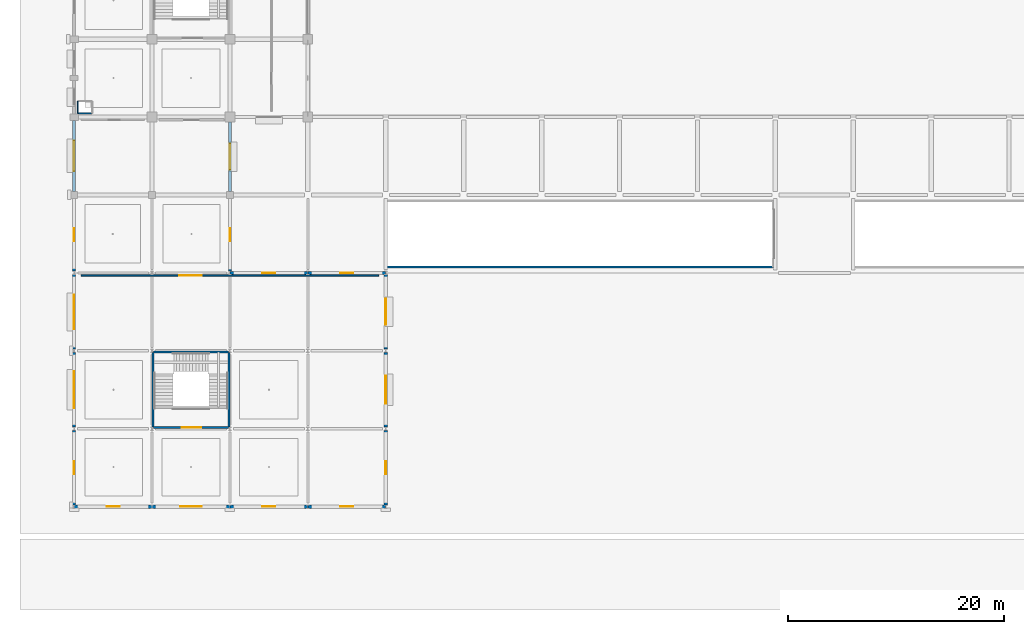
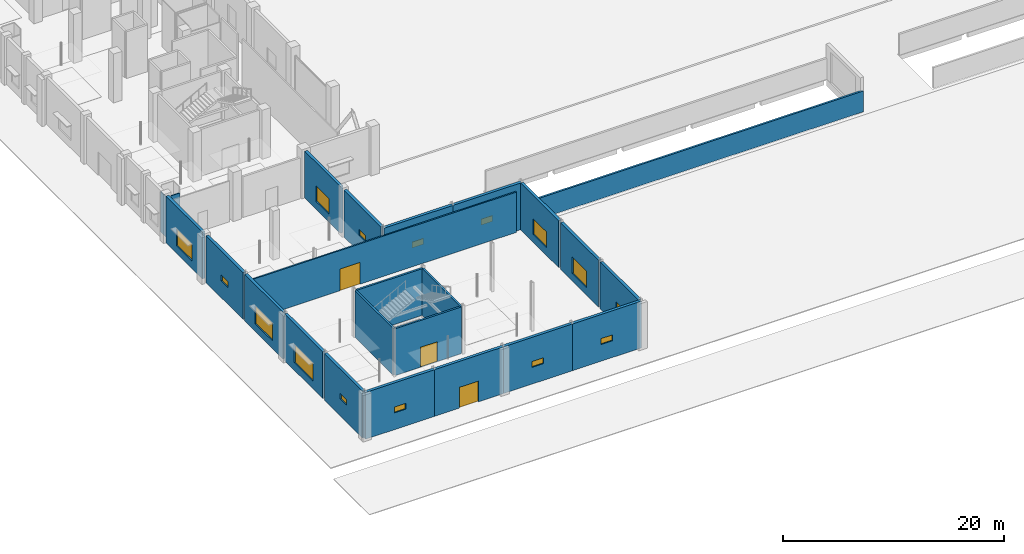
# One storey, part 57 of 90: 24 walls, 15 windows, 3 doors, 18 openings.
"""IFC4 building model written with IfcOpenShell, lengths in metres."""

from ifc_helpers import new_model, si_unit, direction, frame, frame_2d, origin, place, context, subcontext, project, spatial, rectangle, extrude, material, layer, layer_set, type_object, element, fill, save


model = new_model("IFC4")

# Units and contexts
model_context = context("Model", 3, precision=1e-05, world=origin(), true_north=direction((0.0, 1.0)))
body_context = subcontext(model_context, "Body", "Model", "MODEL_VIEW")
ifc_project = project(units=[si_unit("LENGTHUNIT", "METRE"), si_unit("AREAUNIT", "SQUARE_METRE"), si_unit("VOLUMEUNIT", "CUBIC_METRE"), si_unit("PLANEANGLEUNIT", "RADIAN"), si_unit("MASSUNIT", "GRAM", prefix="KILO")], contexts=[model_context])

# Site, building, storey
site_placement = place(None, origin())
site = spatial("IfcSite", under=ifc_project, at=site_placement, CompositionType="ELEMENT")
building_placement = place(site_placement, origin())
building = spatial("IfcBuilding", under=site, at=building_placement, Name="Kangsadwip Square Police Headquarters", CompositionType="ELEMENT")
storey_placement = place(building_placement, origin())
storey = spatial("IfcBuildingStorey", under=building, at=storey_placement, Name="L00", CompositionType="ELEMENT", Elevation=0.0)

# Wall, opening, door
ifc_material_1 = material(Name="Autoclaved aerated concrete blockwork masonry", Category="masonry")
ifc_layer_1 = layer(ifc_material_1, 0.14990234375)
ifc_layer_set_1 = layer_set([ifc_layer_1], Name="Autoclaved aerated concrete blockwork masonry")
wall_type_1 = type_object("IfcWallType", Name="BlockPartition150", PredefinedType="PARTITIONING", material=ifc_layer_set_1)
wall_1_placement = place(storey_placement, frame((0.64990234375, 21.35009765625, 0.0), z_axis=(0.0, 0.0, 1.0), x_axis=(1.0, 0.0, 0.0)))
wall_1 = element("IfcWall", 1, at=wall_1_placement, inside=storey, type_object=wall_type_1, Name="Interior Wall WI-L00-0699", PredefinedType="PARTITIONING", context=body_context, shape_type="SweptSolid", body=[
    extrude(rectangle(XDim=27.5, YDim=0.14990234375, at=frame_2d((13.75, 0.0))), origin(), (0.0, 0.0, 1.0), 4.449951171875),
])
opening_1_placement = place(wall_1_placement, frame((9.052978515625, 0.0, 0.0)))
opening_1 = element("IfcOpeningElement", 2, at=opening_1_placement, cuts=wall_1, Name="Opening ID-21", PredefinedType="OPENING", context=body_context, shape_type="SweptSolid", body=[
    extrude(rectangle(XDim=2.10009765625, YDim=2.39990234375, at=frame_2d((1.050048828125, 1.199951171875))), frame((0.0, 0.0849609375, 0.0), z_axis=(0.0, -1.0, 0.0), x_axis=(1.0, 0.0, 0.0)), (0.0, 0.0, 1.0), 0.169921875),
])
ifc_material_2 = material(Name="Solid-core seasoned teak hardwood architectural door", Category="wood")
door_type_1 = type_object("IfcDoorType", Name="HallDoubleDoor2100x2400", OperationType="DOUBLE_DOOR_SINGLE_SWING", PredefinedType="DOOR", material=ifc_material_2)
door_1_placement = place(opening_1_placement, origin())
door_1 = element("IfcDoor", 3, at=door_1_placement, inside=storey, type_object=door_type_1, Name="Interior Door ID-L00-0147", OperationType="DOUBLE_DOOR_SINGLE_SWING", OverallHeight=2.39990234375, OverallWidth=2.10009765625, PredefinedType="DOOR", context=body_context, shape_type="SweptSolid", body=[
    extrude(rectangle(XDim=2.10009765625, YDim=2.39990234375, at=frame_2d((1.050048828125, 1.199951171875))), frame((0.0, 0.02490234375, 0.0), z_axis=(0.0, -1.0, 0.0), x_axis=(1.0, 0.0, 0.0)), (0.0, 0.0, 1.0), 0.050048828125),
])
fill(opening_1, door_1)

# Wall
ifc_material_3 = material(Name="Concrete M40 (40 MPa)", Category="concrete")
ifc_layer_2 = layer(ifc_material_3, 0.199951171875)
ifc_layer_set_2 = layer_set([ifc_layer_2], Name="Concrete M40 (40 MPa)")
wall_type_2 = type_object("IfcWallType", Name="CoreShearWall200", PredefinedType="SHEAR", material=ifc_layer_set_2)
wall_2_placement = place(storey_placement, frame((28.89990234375, 22.14990234375, 0.0), z_axis=(0.0, 0.0, 1.0), x_axis=(1.0, 0.0, 0.0)))
element("IfcWall", 4, at=wall_2_placement, inside=storey, type_object=wall_type_2, Name="Interior Wall WI-L00-0002", PredefinedType="SHEAR", context=body_context, shape_type="SweptSolid", body=[
    extrude(rectangle(XDim=35.900146484375, YDim=0.199951171875, at=frame_2d((17.9501953125, 0.0))), origin(), (0.0, 0.0, 1.0), 2.300048828125),
])

# Wall, opening, door
wall_3_placement = place(storey_placement, frame((7.320068359375, 7.300048828125, 0.0), z_axis=(0.0, 0.0, 1.0), x_axis=(1.0, 0.0, 0.0)))
wall_3 = element("IfcWall", 5, at=wall_3_placement, inside=storey, type_object=wall_type_2, Name="Interior Wall WI-L00-0221", PredefinedType="SHEAR", context=body_context, shape_type="SweptSolid", body=[
    extrude(rectangle(XDim=6.9599609375, YDim=0.199951171875, at=frame_2d((3.47998046875, 0.0))), origin(), (0.0, 0.0, 1.0), 5.159912109375),
])
opening_2_placement = place(wall_3_placement, frame((2.632080078125, 0.0, 0.0)))
opening_2 = element("IfcOpeningElement", 6, at=opening_2_placement, cuts=wall_3, Name="Opening FD-18", PredefinedType="OPENING", context=body_context, shape_type="SweptSolid", body=[
    extrude(rectangle(XDim=1.800048828125, YDim=2.199951171875, at=frame_2d((0.89990234375, 1.10009765625))), frame((0.0, 0.10986328125, 0.0), z_axis=(0.0, -1.0, 0.0), x_axis=(1.0, 0.0, 0.0)), (0.0, 0.0, 1.0), 0.219970703125),
])
ifc_material_4 = material(Name="Insulated galvanized steel fire-rated door assembly", Category="steel")
door_type_2 = type_object("IfcDoorType", Name="StairFireDoor1800x2200", OperationType="DOUBLE_DOOR_SINGLE_SWING", PredefinedType="DOOR", material=ifc_material_4)
door_2_placement = place(opening_2_placement, origin())
door_2 = element("IfcDoor", 7, at=door_2_placement, inside=storey, type_object=door_type_2, Name="Interior Door ID-L00-0051", OperationType="DOUBLE_DOOR_SINGLE_SWING", OverallHeight=2.199951171875, OverallWidth=1.800048828125, PredefinedType="DOOR", context=body_context, shape_type="SweptSolid", body=[
    extrude(rectangle(XDim=1.800048828125, YDim=2.199951171875, at=frame_2d((0.89990234375, 1.10009765625))), frame((0.0, 0.02490234375, 0.0), z_axis=(0.0, -1.0, 0.0), x_axis=(1.0, 0.0, 0.0)), (0.0, 0.0, 1.0), 0.050048828125),
])
fill(opening_2, door_2)

# Walls
wall_4_placement = place(storey_placement, frame((7.320068359375, 14.300048828125, 0.0), z_axis=(0.0, 0.0, 1.0), x_axis=(1.0, 0.0, 0.0)))
element("IfcWall", 8, at=wall_4_placement, inside=storey, type_object=wall_type_2, Name="Interior Wall WI-L00-0222", PredefinedType="SHEAR", context=body_context, shape_type="SweptSolid", body=[
    extrude(rectangle(XDim=6.9599609375, YDim=0.199951171875, at=frame_2d((3.47998046875, 0.0))), origin(), (0.0, 0.0, 1.0), 5.159912109375),
])
for number, where, z_axis, x_axis, name in (
    (9, (7.300048828125, 7.344970703125, 0.0), (0.0, 0.0, 1.0), (0.0, 1.0, 0.0), "Interior Wall WI-L00-0223"),
    (10, (14.300048828125, 7.344970703125, 0.0), (0.0, 0.0, 1.0), (0.0, 1.0, 0.0), "Interior Wall WI-L00-0224"),
):
    element("IfcWall", number, at=place(storey_placement, frame(where, z_axis=z_axis, x_axis=x_axis)), inside=storey, type_object=wall_type_2, Name=name, PredefinedType="SHEAR", context=body_context, shape_type="SweptSolid", body=[
        extrude(rectangle(XDim=6.909912109375, YDim=0.199951171875, at=frame_2d((3.455078125, 0.0))), origin(), (0.0, 0.0, 1.0), 5.159912109375),
    ])

# Wall, opening, window
ifc_material_5 = material(Name="Glazed architectural terracotta masonry rainscreen", Category="masonry")
ifc_layer_3 = layer(ifc_material_5, 0.300048828125)
ifc_layer_set_3 = layer_set([ifc_layer_3], Name="Glazed architectural terracotta masonry rainscreen")
wall_type_3 = type_object("IfcWallType", Name="PlinthArcadeWall300", PredefinedType="SOLIDWALL", material=ifc_layer_set_3)
wall_5_placement = place(storey_placement, frame((0.010009765625, 0.0, 0.0), z_axis=(0.0, 0.0, 1.0), x_axis=(1.0, 0.0, 0.0)))
wall_5 = element("IfcWall", 11, at=wall_5_placement, inside=storey, type_object=wall_type_3, Name="Exterior Wall WE-L00-129", PredefinedType="SOLIDWALL", context=body_context, shape_type="SweptSolid", body=[
    extrude(rectangle(XDim=7.179931640625, YDim=0.300048828125, at=frame_2d((3.58984375, 0.0))), origin(), (0.0, 0.0, 1.0), 5.159912109375),
])
opening_3_placement = place(wall_5_placement, frame((2.989990234375, 0.0, 1.85009765625)))
opening_3 = element("IfcOpeningElement", 12, at=opening_3_placement, cuts=wall_5, Name="Opening WN-18", PredefinedType="OPENING", context=body_context, shape_type="SweptSolid", body=[
    extrude(rectangle(XDim=1.199951171875, YDim=0.64990234375, at=frame_2d((0.60009765625, 0.324951171875))), frame((0.0, 0.159912109375, 0.0), z_axis=(0.0, -1.0, 0.0), x_axis=(1.0, 0.0, 0.0)), (0.0, 0.0, 1.0), 0.320068359375),
])
ifc_material_6 = material(Name="Double-glazed solar-control low-E safety glass", Category="glass")
window_type_1 = type_object("IfcWindowType", Name="RangeAcousticSlitWin1200x650", PartitioningType="SINGLE_PANEL", PredefinedType="WINDOW", material=ifc_material_6)
window_1_placement = place(opening_3_placement, origin())
window_1 = element("IfcWindow", 13, at=window_1_placement, inside=storey, type_object=window_type_1, Name="Window WN-L00-0001", OverallHeight=0.64990234375, OverallWidth=1.199951171875, PartitioningType="SINGLE_PANEL", PredefinedType="WINDOW", context=body_context, shape_type="SweptSolid", body=[
    extrude(rectangle(XDim=1.199951171875, YDim=0.64990234375, at=frame_2d((0.60009765625, 0.324951171875))), frame((0.0, 0.030029296875, 0.0), z_axis=(0.0, -1.0, 0.0), x_axis=(1.0, 0.0, 0.0)), (0.0, 0.0, 1.0), 0.06005859375),
])
fill(opening_3, window_1)

# Wall, opening, door
wall_6_placement = place(storey_placement, frame((14.389892578125, 0.0, 0.0), z_axis=(0.0, 0.0, 1.0), x_axis=(-1.0, 0.0, 0.0)))
wall_6 = element("IfcWall", 14, at=wall_6_placement, inside=storey, type_object=wall_type_3, Name="Exterior Wall WE-L00-130", PredefinedType="SOLIDWALL", context=body_context, shape_type="SweptSolid", body=[
    extrude(rectangle(XDim=7.179931640625, YDim=0.300048828125, at=frame_2d((3.58984375, 0.0))), origin(), (0.0, 0.0, 1.0), 5.159912109375),
])
opening_4_placement = place(wall_6_placement, frame((2.590087890625, 0.0, 0.0)))
opening_4 = element("IfcOpeningElement", 15, at=opening_4_placement, cuts=wall_6, Name="Opening ED-08", PredefinedType="OPENING", context=body_context, shape_type="SweptSolid", body=[
    extrude(rectangle(XDim=2.0, YDim=2.300048828125, at=frame_2d((1.0, 1.14990234375))), frame((0.0, 0.159912109375, 0.0), z_axis=(0.0, -1.0, 0.0), x_axis=(1.0, 0.0, 0.0)), (0.0, 0.0, 1.0), 0.320068359375),
])
ifc_material_7 = material(Name="Galvanized hollow-metal architectural steel door assembly", Category="steel")
door_type_3 = type_object("IfcDoorType", Name="FinalExitDoubleDoor2000x2300", OperationType="DOUBLE_DOOR_SINGLE_SWING", PredefinedType="DOOR", material=ifc_material_7)
door_3_placement = place(opening_4_placement, origin())
door_3 = element("IfcDoor", 16, at=door_3_placement, inside=storey, type_object=door_type_3, Name="Exterior Door ED-08", OperationType="DOUBLE_DOOR_SINGLE_SWING", OverallHeight=2.300048828125, OverallWidth=2.0, PredefinedType="DOOR", context=body_context, shape_type="SweptSolid", body=[
    extrude(rectangle(XDim=2.0, YDim=2.300048828125, at=frame_2d((1.0, 1.14990234375))), frame((0.0, 0.02490234375, 0.0), z_axis=(0.0, -1.0, 0.0), x_axis=(1.0, 0.0, 0.0)), (0.0, 0.0, 1.0), 0.050048828125),
])
fill(opening_4, door_3)

# Wall, opening, window
wall_7_placement = place(storey_placement, frame((14.409912109375, 0.0, 0.0), z_axis=(0.0, 0.0, 1.0), x_axis=(1.0, 0.0, 0.0)))
wall_7 = element("IfcWall", 17, at=wall_7_placement, inside=storey, type_object=wall_type_3, Name="Exterior Wall WE-L00-131", PredefinedType="SOLIDWALL", context=body_context, shape_type="SweptSolid", body=[
    extrude(rectangle(XDim=7.18017578125, YDim=0.300048828125, at=frame_2d((3.590087890625, 0.0))), origin(), (0.0, 0.0, 1.0), 5.159912109375),
])
opening_5_placement = place(wall_7_placement, frame((2.989990234375, 0.0, 1.85009765625)))
opening_5 = element("IfcOpeningElement", 18, at=opening_5_placement, cuts=wall_7, Name="Opening WN-18", PredefinedType="OPENING", context=body_context, shape_type="SweptSolid", body=[
    extrude(rectangle(XDim=1.199951171875, YDim=0.64990234375, at=frame_2d((0.60009765625, 0.324951171875))), frame((0.0, 0.159912109375, 0.0), z_axis=(0.0, -1.0, 0.0), x_axis=(1.0, 0.0, 0.0)), (0.0, 0.0, 1.0), 0.320068359375),
])
window_2_placement = place(opening_5_placement, origin())
window_2 = element("IfcWindow", 19, at=window_2_placement, inside=storey, type_object=window_type_1, Name="Window WN-L00-0002", OverallHeight=0.64990234375, OverallWidth=1.199951171875, PartitioningType="SINGLE_PANEL", PredefinedType="WINDOW", context=body_context, shape_type="SweptSolid", body=[
    extrude(rectangle(XDim=1.199951171875, YDim=0.64990234375, at=frame_2d((0.60009765625, 0.324951171875))), frame((0.0, 0.030029296875, 0.0), z_axis=(0.0, -1.0, 0.0), x_axis=(1.0, 0.0, 0.0)), (0.0, 0.0, 1.0), 0.06005859375),
])
fill(opening_5, window_2)

wall_8_placement = place(storey_placement, frame((21.610107421875, 0.0, 0.0), z_axis=(0.0, 0.0, 1.0), x_axis=(1.0, 0.0, 0.0)))
wall_8 = element("IfcWall", 20, at=wall_8_placement, inside=storey, type_object=wall_type_3, Name="Exterior Wall WE-L00-132", PredefinedType="SOLIDWALL", context=body_context, shape_type="SweptSolid", body=[
    extrude(rectangle(XDim=7.179931640625, YDim=0.300048828125, at=frame_2d((3.58984375, 0.0))), origin(), (0.0, 0.0, 1.0), 5.159912109375),
])
opening_6_placement = place(wall_8_placement, frame((2.989990234375, 0.0, 1.85009765625)))
opening_6 = element("IfcOpeningElement", 21, at=opening_6_placement, cuts=wall_8, Name="Opening WN-18", PredefinedType="OPENING", context=body_context, shape_type="SweptSolid", body=[
    extrude(rectangle(XDim=1.199951171875, YDim=0.64990234375, at=frame_2d((0.60009765625, 0.324951171875))), frame((0.0, 0.159912109375, 0.0), z_axis=(0.0, -1.0, 0.0), x_axis=(1.0, 0.0, 0.0)), (0.0, 0.0, 1.0), 0.320068359375),
])
window_3_placement = place(opening_6_placement, origin())
window_3 = element("IfcWindow", 22, at=window_3_placement, inside=storey, type_object=window_type_1, Name="Window WN-L00-0003", OverallHeight=0.64990234375, OverallWidth=1.199951171875, PartitioningType="SINGLE_PANEL", PredefinedType="WINDOW", context=body_context, shape_type="SweptSolid", body=[
    extrude(rectangle(XDim=1.199951171875, YDim=0.64990234375, at=frame_2d((0.60009765625, 0.324951171875))), frame((0.0, 0.030029296875, 0.0), z_axis=(0.0, -1.0, 0.0), x_axis=(1.0, 0.0, 0.0)), (0.0, 0.0, 1.0), 0.06005859375),
])
fill(opening_6, window_3)

wall_9_placement = place(storey_placement, frame((14.409912109375, 21.60009765625, 0.0), z_axis=(0.0, 0.0, 1.0), x_axis=(1.0, 0.0, 0.0)))
wall_9 = element("IfcWall", 23, at=wall_9_placement, inside=storey, type_object=wall_type_3, Name="Exterior Wall WE-L00-133", PredefinedType="SOLIDWALL", context=body_context, shape_type="SweptSolid", body=[
    extrude(rectangle(XDim=7.18017578125, YDim=0.300048828125, at=frame_2d((3.590087890625, 0.0))), origin(), (0.0, 0.0, 1.0), 5.159912109375),
])
opening_7_placement = place(wall_9_placement, frame((2.989990234375, 0.0, 1.85009765625)))
opening_7 = element("IfcOpeningElement", 24, at=opening_7_placement, cuts=wall_9, Name="Opening WN-18", PredefinedType="OPENING", context=body_context, shape_type="SweptSolid", body=[
    extrude(rectangle(XDim=1.199951171875, YDim=0.64990234375, at=frame_2d((0.60009765625, 0.324951171875))), frame((0.0, 0.159912109375, 0.0), z_axis=(0.0, -1.0, 0.0), x_axis=(1.0, 0.0, 0.0)), (0.0, 0.0, 1.0), 0.320068359375),
])
window_4_placement = place(opening_7_placement, origin())
window_4 = element("IfcWindow", 25, at=window_4_placement, inside=storey, type_object=window_type_1, Name="Window WN-L00-0004", OverallHeight=0.64990234375, OverallWidth=1.199951171875, PartitioningType="SINGLE_PANEL", PredefinedType="WINDOW", context=body_context, shape_type="SweptSolid", body=[
    extrude(rectangle(XDim=1.199951171875, YDim=0.64990234375, at=frame_2d((0.60009765625, 0.324951171875))), frame((0.0, 0.030029296875, 0.0), z_axis=(0.0, -1.0, 0.0), x_axis=(1.0, 0.0, 0.0)), (0.0, 0.0, 1.0), 0.06005859375),
])
fill(opening_7, window_4)

wall_10_placement = place(storey_placement, frame((21.610107421875, 21.60009765625, 0.0), z_axis=(0.0, 0.0, 1.0), x_axis=(1.0, 0.0, 0.0)))
wall_10 = element("IfcWall", 26, at=wall_10_placement, inside=storey, type_object=wall_type_3, Name="Exterior Wall WE-L00-134", PredefinedType="SOLIDWALL", context=body_context, shape_type="SweptSolid", body=[
    extrude(rectangle(XDim=7.179931640625, YDim=0.300048828125, at=frame_2d((3.58984375, 0.0))), origin(), (0.0, 0.0, 1.0), 5.159912109375),
])
opening_8_placement = place(wall_10_placement, frame((2.989990234375, 0.0, 1.85009765625)))
opening_8 = element("IfcOpeningElement", 27, at=opening_8_placement, cuts=wall_10, Name="Opening WN-18", PredefinedType="OPENING", context=body_context, shape_type="SweptSolid", body=[
    extrude(rectangle(XDim=1.199951171875, YDim=0.64990234375, at=frame_2d((0.60009765625, 0.324951171875))), frame((0.0, 0.159912109375, 0.0), z_axis=(0.0, -1.0, 0.0), x_axis=(1.0, 0.0, 0.0)), (0.0, 0.0, 1.0), 0.320068359375),
])
window_5_placement = place(opening_8_placement, origin())
window_5 = element("IfcWindow", 28, at=window_5_placement, inside=storey, type_object=window_type_1, Name="Window WN-L00-0005", OverallHeight=0.64990234375, OverallWidth=1.199951171875, PartitioningType="SINGLE_PANEL", PredefinedType="WINDOW", context=body_context, shape_type="SweptSolid", body=[
    extrude(rectangle(XDim=1.199951171875, YDim=0.64990234375, at=frame_2d((0.60009765625, 0.324951171875))), frame((0.0, 0.030029296875, 0.0), z_axis=(0.0, -1.0, 0.0), x_axis=(1.0, 0.0, 0.0)), (0.0, 0.0, 1.0), 0.06005859375),
])
fill(opening_8, window_5)

wall_11_placement = place(storey_placement, frame((0.0, 0.153076171875, 0.0), z_axis=(0.0, 0.0, 1.0), x_axis=(0.0, 1.0, 0.0)))
wall_11 = element("IfcWall", 29, at=wall_11_placement, inside=storey, type_object=wall_type_3, Name="Exterior Wall WE-L00-163", PredefinedType="SOLIDWALL", context=body_context, shape_type="SweptSolid", body=[
    extrude(rectangle(XDim=6.89404296875, YDim=0.300048828125, at=frame_2d((3.447021484375, 0.0))), origin(), (0.0, 0.0, 1.0), 5.159912109375),
])
opening_9_placement = place(wall_11_placement, frame((2.846923828125, 0.0, 1.85009765625)))
opening_9 = element("IfcOpeningElement", 30, at=opening_9_placement, cuts=wall_11, Name="Opening WN-18", PredefinedType="OPENING", context=body_context, shape_type="SweptSolid", body=[
    extrude(rectangle(XDim=1.199951171875, YDim=0.64990234375, at=frame_2d((0.60009765625, 0.324951171875))), frame((0.0, 0.159912109375, 0.0), z_axis=(0.0, -1.0, 0.0), x_axis=(1.0, 0.0, 0.0)), (0.0, 0.0, 1.0), 0.320068359375),
])
window_6_placement = place(opening_9_placement, origin())
window_6 = element("IfcWindow", 31, at=window_6_placement, inside=storey, type_object=window_type_1, Name="Window WN-L00-0022", OverallHeight=0.64990234375, OverallWidth=1.199951171875, PartitioningType="SINGLE_PANEL", PredefinedType="WINDOW", context=body_context, shape_type="SweptSolid", body=[
    extrude(rectangle(XDim=1.199951171875, YDim=0.64990234375, at=frame_2d((0.60009765625, 0.324951171875))), frame((0.0, 0.030029296875, 0.0), z_axis=(0.0, -1.0, 0.0), x_axis=(1.0, 0.0, 0.0)), (0.0, 0.0, 1.0), 0.06005859375),
])
fill(opening_9, window_6)

wall_12_placement = place(storey_placement, frame((0.0, 7.35302734375, 0.0), z_axis=(0.0, 0.0, 1.0), x_axis=(0.0, 1.0, 0.0)))
wall_12 = element("IfcWall", 32, at=wall_12_placement, inside=storey, type_object=wall_type_3, Name="Exterior Wall WE-L00-164", PredefinedType="SOLIDWALL", context=body_context, shape_type="SweptSolid", body=[
    extrude(rectangle(XDim=6.89404296875, YDim=0.300048828125, at=frame_2d((3.447021484375, 0.0))), origin(), (0.0, 0.0, 1.0), 5.159912109375),
])
opening_10_placement = place(wall_12_placement, frame((1.7470703125, 0.0, 0.85009765625)))
opening_10 = element("IfcOpeningElement", 33, at=opening_10_placement, cuts=wall_12, Name="Opening WN-02", PredefinedType="OPENING", context=body_context, shape_type="SweptSolid", body=[
    extrude(rectangle(XDim=3.39990234375, YDim=2.0, at=frame_2d((1.699951171875, 1.0))), frame((0.0, 0.159912109375, 0.0), z_axis=(0.0, -1.0, 0.0), x_axis=(1.0, 0.0, 0.0)), (0.0, 0.0, 1.0), 0.320068359375),
])
ifc_material_8 = material(Name="Double-glazed solar-control low-E safety glass", Category="glass")
window_type_2 = type_object("IfcWindowType", Name="ChicagoTripartiteWin3400x2000", PartitioningType="TRIPLE_PANEL_HORIZONTAL", PredefinedType="WINDOW", material=ifc_material_8)
window_7_placement = place(opening_10_placement, origin())
window_7 = element("IfcWindow", 34, at=window_7_placement, inside=storey, type_object=window_type_2, Name="Window WN-L00-0023", OverallHeight=2.0, OverallWidth=3.39990234375, PartitioningType="SINGLE_PANEL", PredefinedType="WINDOW", context=body_context, shape_type="SweptSolid", body=[
    extrude(rectangle(XDim=3.39990234375, YDim=2.0, at=frame_2d((1.699951171875, 1.0))), frame((0.0, 0.030029296875, 0.0), z_axis=(0.0, -1.0, 0.0), x_axis=(1.0, 0.0, 0.0)), (0.0, 0.0, 1.0), 0.06005859375),
])
fill(opening_10, window_7)

wall_13_placement = place(storey_placement, frame((0.0, 14.552978515625, 0.0), z_axis=(0.0, 0.0, 1.0), x_axis=(0.0, 1.0, 0.0)))
wall_13 = element("IfcWall", 35, at=wall_13_placement, inside=storey, type_object=wall_type_3, Name="Exterior Wall WE-L00-165", PredefinedType="SOLIDWALL", context=body_context, shape_type="SweptSolid", body=[
    extrude(rectangle(XDim=6.89404296875, YDim=0.300048828125, at=frame_2d((3.447021484375, 0.0))), origin(), (0.0, 0.0, 1.0), 5.159912109375),
])
opening_11_placement = place(wall_13_placement, frame((1.846923828125, 0.0, 0.85009765625)))
opening_11 = element("IfcOpeningElement", 36, at=opening_11_placement, cuts=wall_13, Name="Opening WN-03", PredefinedType="OPENING", context=body_context, shape_type="SweptSolid", body=[
    extrude(rectangle(XDim=3.199951171875, YDim=1.949951171875, at=frame_2d((1.60009765625, 0.97509765625))), frame((0.0, 0.159912109375, 0.0), z_axis=(0.0, -1.0, 0.0), x_axis=(1.0, 0.0, 0.0)), (0.0, 0.0, 1.0), 0.320068359375),
])
ifc_material_9 = material(Name="Double-glazed solar-control low-E safety glass", Category="glass")
window_type_3 = type_object("IfcWindowType", Name="ChicagoTripartiteWin3200x1950", PartitioningType="TRIPLE_PANEL_HORIZONTAL", PredefinedType="WINDOW", material=ifc_material_9)
window_8_placement = place(opening_11_placement, origin())
window_8 = element("IfcWindow", 37, at=window_8_placement, inside=storey, type_object=window_type_3, Name="Window WN-L00-0024", OverallHeight=1.949951171875, OverallWidth=3.199951171875, PartitioningType="SINGLE_PANEL", PredefinedType="WINDOW", context=body_context, shape_type="SweptSolid", body=[
    extrude(rectangle(XDim=3.199951171875, YDim=1.949951171875, at=frame_2d((1.60009765625, 0.97509765625))), frame((0.0, 0.030029296875, 0.0), z_axis=(0.0, -1.0, 0.0), x_axis=(1.0, 0.0, 0.0)), (0.0, 0.0, 1.0), 0.06005859375),
])
fill(opening_11, window_8)

wall_14_placement = place(storey_placement, frame((0.0, 21.7529296875, 0.0), z_axis=(0.0, 0.0, 1.0), x_axis=(0.0, 1.0, 0.0)))
wall_14 = element("IfcWall", 38, at=wall_14_placement, inside=storey, type_object=wall_type_3, Name="Exterior Wall WE-L00-166", PredefinedType="SOLIDWALL", context=body_context, shape_type="SweptSolid", body=[
    extrude(rectangle(XDim=6.72705078125, YDim=0.300048828125, at=frame_2d((3.363525390625, 0.0))), origin(), (0.0, 0.0, 1.0), 5.159912109375),
])
opening_12_placement = place(wall_14_placement, frame((2.763427734375, 0.0, 1.85009765625)))
opening_12 = element("IfcOpeningElement", 39, at=opening_12_placement, cuts=wall_14, Name="Opening WN-18", PredefinedType="OPENING", context=body_context, shape_type="SweptSolid", body=[
    extrude(rectangle(XDim=1.199951171875, YDim=0.64990234375, at=frame_2d((0.60009765625, 0.324951171875))), frame((0.0, 0.159912109375, 0.0), z_axis=(0.0, -1.0, 0.0), x_axis=(1.0, 0.0, 0.0)), (0.0, 0.0, 1.0), 0.320068359375),
])
window_9_placement = place(opening_12_placement, origin())
window_9 = element("IfcWindow", 40, at=window_9_placement, inside=storey, type_object=window_type_1, Name="Window WN-L00-0025", OverallHeight=0.64990234375, OverallWidth=1.199951171875, PartitioningType="SINGLE_PANEL", PredefinedType="WINDOW", context=body_context, shape_type="SweptSolid", body=[
    extrude(rectangle(XDim=1.199951171875, YDim=0.64990234375, at=frame_2d((0.60009765625, 0.324951171875))), frame((0.0, 0.030029296875, 0.0), z_axis=(0.0, -1.0, 0.0), x_axis=(1.0, 0.0, 0.0)), (0.0, 0.0, 1.0), 0.06005859375),
])
fill(opening_12, window_9)

wall_15_placement = place(storey_placement, frame((0.0, 29.1201171875, 0.0), z_axis=(0.0, 0.0, 1.0), x_axis=(0.0, 1.0, 0.0)))
wall_15 = element("IfcWall", 41, at=wall_15_placement, inside=storey, type_object=wall_type_3, Name="Exterior Wall WE-L00-167", PredefinedType="SOLIDWALL", context=body_context, shape_type="SweptSolid", body=[
    extrude(rectangle(XDim=6.5849609375, YDim=0.300048828125, at=frame_2d((3.29248046875, 0.0))), origin(), (0.0, 0.0, 1.0), 5.159912109375),
])
opening_13_placement = place(wall_15_placement, frame((1.892578125, 0.0, 0.85009765625)))
opening_13 = element("IfcOpeningElement", 42, at=opening_13_placement, cuts=wall_15, Name="Opening WN-05", PredefinedType="OPENING", context=body_context, shape_type="SweptSolid", body=[
    extrude(rectangle(XDim=2.800048828125, YDim=1.85009765625, at=frame_2d((1.39990234375, 0.925048828125))), frame((0.0, 0.159912109375, 0.0), z_axis=(0.0, -1.0, 0.0), x_axis=(1.0, 0.0, 0.0)), (0.0, 0.0, 1.0), 0.320068359375),
])
ifc_material_10 = material(Name="Double-glazed solar-control low-E safety glass", Category="glass")
window_type_4 = type_object("IfcWindowType", Name="ChicagoDoubleMullWin2800x1850", PartitioningType="DOUBLE_PANEL_VERTICAL", PredefinedType="WINDOW", material=ifc_material_10)
window_10_placement = place(opening_13_placement, origin())
window_10 = element("IfcWindow", 43, at=window_10_placement, inside=storey, type_object=window_type_4, Name="Window WN-L00-0026", OverallHeight=1.85009765625, OverallWidth=2.800048828125, PartitioningType="SINGLE_PANEL", PredefinedType="WINDOW", context=body_context, shape_type="SweptSolid", body=[
    extrude(rectangle(XDim=2.800048828125, YDim=1.85009765625, at=frame_2d((1.39990234375, 0.925048828125))), frame((0.0, 0.030029296875, 0.0), z_axis=(0.0, -1.0, 0.0), x_axis=(1.0, 0.0, 0.0)), (0.0, 0.0, 1.0), 0.06005859375),
])
fill(opening_13, window_10)

wall_16_placement = place(storey_placement, frame((14.39990234375, 21.7529296875, 0.0), z_axis=(0.0, 0.0, 1.0), x_axis=(0.0, 1.0, 0.0)))
wall_16 = element("IfcWall", 44, at=wall_16_placement, inside=storey, type_object=wall_type_3, Name="Exterior Wall WE-L00-182", PredefinedType="SOLIDWALL", context=body_context, shape_type="SweptSolid", body=[
    extrude(rectangle(XDim=6.72705078125, YDim=0.300048828125, at=frame_2d((3.363525390625, 0.0))), origin(), (0.0, 0.0, 1.0), 5.159912109375),
])
opening_14_placement = place(wall_16_placement, frame((2.763427734375, 0.0, 1.85009765625)))
opening_14 = element("IfcOpeningElement", 45, at=opening_14_placement, cuts=wall_16, Name="Opening WN-18", PredefinedType="OPENING", context=body_context, shape_type="SweptSolid", body=[
    extrude(rectangle(XDim=1.199951171875, YDim=0.64990234375, at=frame_2d((0.60009765625, 0.324951171875))), frame((0.0, 0.159912109375, 0.0), z_axis=(0.0, -1.0, 0.0), x_axis=(1.0, 0.0, 0.0)), (0.0, 0.0, 1.0), 0.320068359375),
])
window_11_placement = place(opening_14_placement, origin())
window_11 = element("IfcWindow", 46, at=window_11_placement, inside=storey, type_object=window_type_1, Name="Window WN-L00-0038", OverallHeight=0.64990234375, OverallWidth=1.199951171875, PartitioningType="SINGLE_PANEL", PredefinedType="WINDOW", context=body_context, shape_type="SweptSolid", body=[
    extrude(rectangle(XDim=1.199951171875, YDim=0.64990234375, at=frame_2d((0.60009765625, 0.324951171875))), frame((0.0, 0.030029296875, 0.0), z_axis=(0.0, -1.0, 0.0), x_axis=(1.0, 0.0, 0.0)), (0.0, 0.0, 1.0), 0.06005859375),
])
fill(opening_14, window_11)

wall_17_placement = place(storey_placement, frame((14.39990234375, 29.1201171875, 0.0), z_axis=(0.0, 0.0, 1.0), x_axis=(0.0, 1.0, 0.0)))
wall_17 = element("IfcWall", 47, at=wall_17_placement, inside=storey, type_object=wall_type_3, Name="Exterior Wall WE-L00-183", PredefinedType="SOLIDWALL", context=body_context, shape_type="SweptSolid", body=[
    extrude(rectangle(XDim=6.434814453125, YDim=0.300048828125, at=frame_2d((3.21728515625, 0.0))), origin(), (0.0, 0.0, 1.0), 5.159912109375),
])
opening_15_placement = place(wall_17_placement, frame((2.017578125, 0.0, 0.85009765625)))
opening_15 = element("IfcOpeningElement", 48, at=opening_15_placement, cuts=wall_17, Name="Opening WN-07", PredefinedType="OPENING", context=body_context, shape_type="SweptSolid", body=[
    extrude(rectangle(XDim=2.39990234375, YDim=1.75, at=frame_2d((1.199951171875, 0.875))), frame((0.0, 0.159912109375, 0.0), z_axis=(0.0, -1.0, 0.0), x_axis=(1.0, 0.0, 0.0)), (0.0, 0.0, 1.0), 0.320068359375),
])
ifc_material_11 = material(Name="Double-glazed solar-control low-E safety glass", Category="glass")
window_type_5 = type_object("IfcWindowType", Name="ChicagoDoubleMullWin2400x1750", PartitioningType="DOUBLE_PANEL_VERTICAL", PredefinedType="WINDOW", material=ifc_material_11)
window_12_placement = place(opening_15_placement, origin())
window_12 = element("IfcWindow", 49, at=window_12_placement, inside=storey, type_object=window_type_5, Name="Window WN-L00-0039", OverallHeight=1.75, OverallWidth=2.39990234375, PartitioningType="SINGLE_PANEL", PredefinedType="WINDOW", context=body_context, shape_type="SweptSolid", body=[
    extrude(rectangle(XDim=2.39990234375, YDim=1.75, at=frame_2d((1.199951171875, 0.875))), frame((0.0, 0.030029296875, 0.0), z_axis=(0.0, -1.0, 0.0), x_axis=(1.0, 0.0, 0.0)), (0.0, 0.0, 1.0), 0.06005859375),
])
fill(opening_15, window_12)

wall_18_placement = place(storey_placement, frame((28.800048828125, 0.153076171875, 0.0), z_axis=(0.0, 0.0, 1.0), x_axis=(0.0, 1.0, 0.0)))
wall_18 = element("IfcWall", 50, at=wall_18_placement, inside=storey, type_object=wall_type_3, Name="Exterior Wall WE-L00-189", PredefinedType="SOLIDWALL", context=body_context, shape_type="SweptSolid", body=[
    extrude(rectangle(XDim=6.89404296875, YDim=0.300048828125, at=frame_2d((3.447021484375, 0.0))), origin(), (0.0, 0.0, 1.0), 5.159912109375),
])
opening_16_placement = place(wall_18_placement, frame((2.846923828125, 0.0, 1.85009765625)))
opening_16 = element("IfcOpeningElement", 51, at=opening_16_placement, cuts=wall_18, Name="Opening WN-18", PredefinedType="OPENING", context=body_context, shape_type="SweptSolid", body=[
    extrude(rectangle(XDim=1.199951171875, YDim=0.64990234375, at=frame_2d((0.60009765625, 0.324951171875))), frame((0.0, 0.159912109375, 0.0), z_axis=(0.0, -1.0, 0.0), x_axis=(1.0, 0.0, 0.0)), (0.0, 0.0, 1.0), 0.320068359375),
])
window_13_placement = place(opening_16_placement, origin())
window_13 = element("IfcWindow", 52, at=window_13_placement, inside=storey, type_object=window_type_1, Name="Window WN-L00-0045", OverallHeight=0.64990234375, OverallWidth=1.199951171875, PartitioningType="SINGLE_PANEL", PredefinedType="WINDOW", context=body_context, shape_type="SweptSolid", body=[
    extrude(rectangle(XDim=1.199951171875, YDim=0.64990234375, at=frame_2d((0.60009765625, 0.324951171875))), frame((0.0, 0.030029296875, 0.0), z_axis=(0.0, -1.0, 0.0), x_axis=(1.0, 0.0, 0.0)), (0.0, 0.0, 1.0), 0.06005859375),
])
fill(opening_16, window_13)

wall_19_placement = place(storey_placement, frame((28.800048828125, 7.35302734375, 0.0), z_axis=(0.0, 0.0, 1.0), x_axis=(0.0, 1.0, 0.0)))
wall_19 = element("IfcWall", 53, at=wall_19_placement, inside=storey, type_object=wall_type_3, Name="Exterior Wall WE-L00-190", PredefinedType="SOLIDWALL", context=body_context, shape_type="SweptSolid", body=[
    extrude(rectangle(XDim=6.89404296875, YDim=0.300048828125, at=frame_2d((3.447021484375, 0.0))), origin(), (0.0, 0.0, 1.0), 5.159912109375),
])
opening_17_placement = place(wall_19_placement, frame((2.14697265625, 0.0, 0.85009765625)))
opening_17 = element("IfcOpeningElement", 54, at=opening_17_placement, cuts=wall_19, Name="Opening WN-06", PredefinedType="OPENING", context=body_context, shape_type="SweptSolid", body=[
    extrude(rectangle(XDim=2.60009765625, YDim=1.800048828125, at=frame_2d((1.300048828125, 0.89990234375))), frame((0.0, 0.159912109375, 0.0), z_axis=(0.0, -1.0, 0.0), x_axis=(1.0, 0.0, 0.0)), (0.0, 0.0, 1.0), 0.320068359375),
])
ifc_material_12 = material(Name="Double-glazed solar-control low-E safety glass", Category="glass")
window_type_6 = type_object("IfcWindowType", Name="ChicagoDoubleMullWin2600x1800", PartitioningType="DOUBLE_PANEL_VERTICAL", PredefinedType="WINDOW", material=ifc_material_12)
window_14_placement = place(opening_17_placement, origin())
window_14 = element("IfcWindow", 55, at=window_14_placement, inside=storey, type_object=window_type_6, Name="Window WN-L00-0046", OverallHeight=1.800048828125, OverallWidth=2.60009765625, PartitioningType="SINGLE_PANEL", PredefinedType="WINDOW", context=body_context, shape_type="SweptSolid", body=[
    extrude(rectangle(XDim=2.60009765625, YDim=1.800048828125, at=frame_2d((1.300048828125, 0.89990234375))), frame((0.0, 0.030029296875, 0.0), z_axis=(0.0, -1.0, 0.0), x_axis=(1.0, 0.0, 0.0)), (0.0, 0.0, 1.0), 0.06005859375),
])
fill(opening_17, window_14)

wall_20_placement = place(storey_placement, frame((28.800048828125, 14.552978515625, 0.0), z_axis=(0.0, 0.0, 1.0), x_axis=(0.0, 1.0, 0.0)))
wall_20 = element("IfcWall", 56, at=wall_20_placement, inside=storey, type_object=wall_type_3, Name="Exterior Wall WE-L00-191", PredefinedType="SOLIDWALL", context=body_context, shape_type="SweptSolid", body=[
    extrude(rectangle(XDim=6.89404296875, YDim=0.300048828125, at=frame_2d((3.447021484375, 0.0))), origin(), (0.0, 0.0, 1.0), 5.159912109375),
])
opening_18_placement = place(wall_20_placement, frame((2.2470703125, 0.0, 0.85009765625)))
opening_18 = element("IfcOpeningElement", 57, at=opening_18_placement, cuts=wall_20, Name="Opening WN-07", PredefinedType="OPENING", context=body_context, shape_type="SweptSolid", body=[
    extrude(rectangle(XDim=2.39990234375, YDim=1.75, at=frame_2d((1.199951171875, 0.875))), frame((0.0, 0.159912109375, 0.0), z_axis=(0.0, -1.0, 0.0), x_axis=(1.0, 0.0, 0.0)), (0.0, 0.0, 1.0), 0.320068359375),
])
window_15_placement = place(opening_18_placement, origin())
window_15 = element("IfcWindow", 58, at=window_15_placement, inside=storey, type_object=window_type_5, Name="Window WN-L00-0047", OverallHeight=1.75, OverallWidth=2.39990234375, PartitioningType="SINGLE_PANEL", PredefinedType="WINDOW", context=body_context, shape_type="SweptSolid", body=[
    extrude(rectangle(XDim=2.39990234375, YDim=1.75, at=frame_2d((1.199951171875, 0.875))), frame((0.0, 0.030029296875, 0.0), z_axis=(0.0, -1.0, 0.0), x_axis=(1.0, 0.0, 0.0)), (0.0, 0.0, 1.0), 0.06005859375),
])
fill(opening_18, window_15)

# Walls
ifc_material_13 = material(Name="Autoclaved aerated concrete blockwork masonry", Category="masonry")
ifc_layer_4 = layer(ifc_material_13, 0.10009765625)
ifc_layer_set_4 = layer_set([ifc_layer_4], Name="Autoclaved aerated concrete blockwork masonry")
wall_type_4 = type_object("IfcWallType", Name="WetWallPartition100", PredefinedType="PARTITIONING", material=ifc_layer_set_4)
wall_21_placement = place(storey_placement, frame((0.35009765625, 36.35009765625, 0.0), z_axis=(0.0, 0.0, 1.0), x_axis=(1.0, 0.0, 0.0)))
element("IfcWall", 59, at=wall_21_placement, inside=storey, type_object=wall_type_4, Name="Interior Wall WI-L00-0515", PredefinedType="PARTITIONING", context=body_context, shape_type="SweptSolid", body=[
    extrude(rectangle(XDim=1.2998046875, YDim=0.10009765625, at=frame_2d((0.64990234375, 0.0))), origin(), (0.0, 0.0, 1.0), 4.5),
])
wall_22_placement = place(storey_placement, frame((0.35009765625, 36.35009765625, 0.0), z_axis=(0.0, 0.0, 1.0), x_axis=(0.0, 1.0, 0.0)))
element("IfcWall", 60, at=wall_22_placement, inside=storey, type_object=wall_type_4, Name="Interior Wall WI-L00-0517", PredefinedType="PARTITIONING", context=body_context, shape_type="SweptSolid", body=[
    extrude(rectangle(XDim=1.099853515625, YDim=0.10009765625, at=frame_2d((0.5498046875, 0.0))), origin(), (0.0, 0.0, 1.0), 4.449951171875),
])

save(model, "model.ifc")
